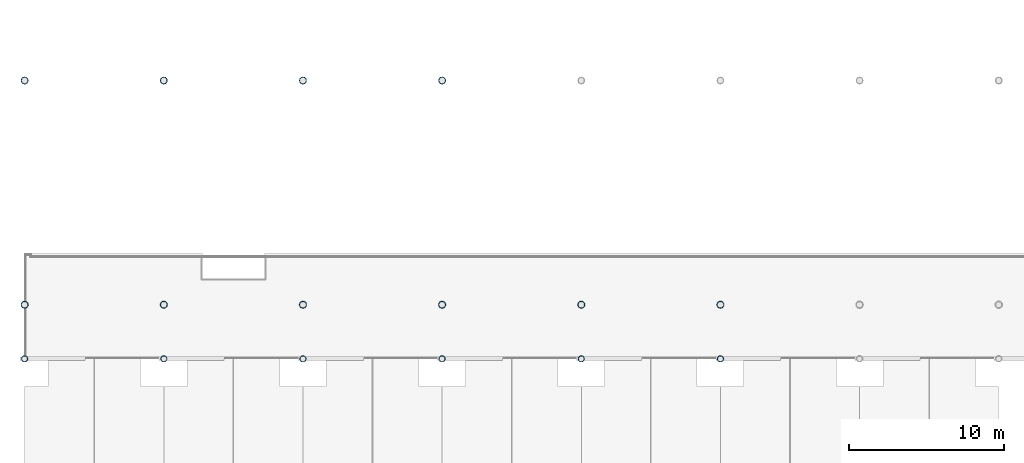
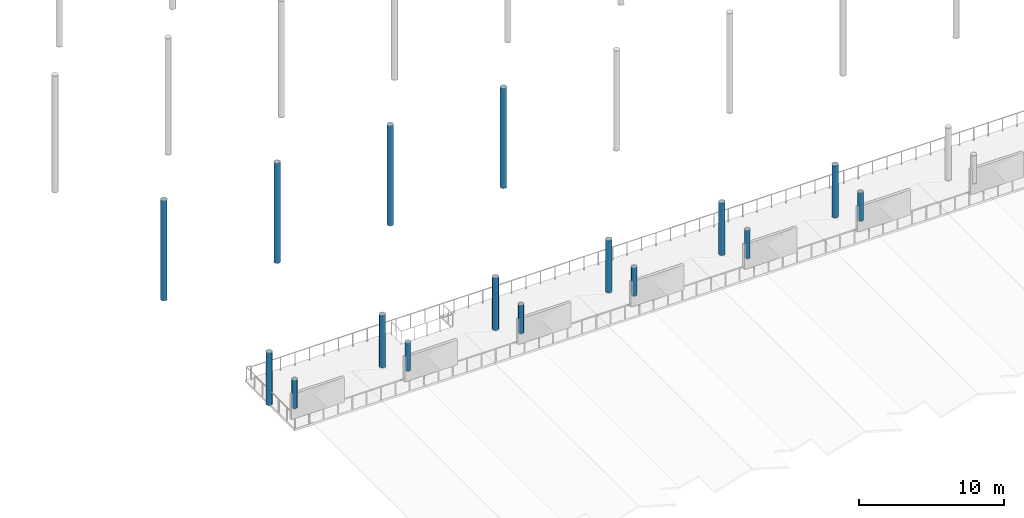
# One storey, part 1 of 143: 16 columns.
"""IFC4 building model written with IfcOpenShell, lengths in metres."""

import ifcopenshell
import ifcopenshell.guid

model = None  # the IFC model being written
_history = None  # IfcOwnerHistory: only IFC2X3 demands one
_inside = {}  # id of a spatial element -> (the spatial element, [elements in it])
_under = {}  # id of a project, library or spatial element -> (it, [spatial elements below it])
_declared = {}  # id of a project -> (the project, [libraries it declares])
_typed = {}  # id of a type object -> (the type object, [elements of that type])
_made_of = {}  # id of a material, layer set ... -> (it, [elements and type objects made of it])


def new_model(schema):
    """Start an empty IFC model of exactly this schema.

    Asked for "IFC4X3", IfcOpenShell would pick the latest addendum, in which some entities
    have other attributes; the version numbers below select the first issue.
    IFC2X3 requires an IfcOwnerHistory on every rooted entity: one is made here for all.
    """
    global model, _history
    if schema == "IFC4X3":
        model = ifcopenshell.file(schema_version=(4, 3, 0, 0))
    else:
        model = ifcopenshell.file(schema=schema)
    _inside.clear()
    _under.clear()
    _declared.clear()
    _typed.clear()
    _made_of.clear()
    _history = None
    if model.schema == "IFC2X3":
        org = make("IfcOrganization", Name="unknown")
        user = make(
            "IfcPersonAndOrganization",
            ThePerson=make("IfcPerson", FamilyName="unknown"),
            TheOrganization=org,
        )
        app = make(
            "IfcApplication",
            ApplicationDeveloper=org,
            Version="unknown",
            ApplicationFullName="unknown",
            ApplicationIdentifier="unknown",
        )
        _history = make(
            "IfcOwnerHistory",
            OwningUser=user,
            OwningApplication=app,
            ChangeAction="ADDED",
            CreationDate=0,
        )
    return model


def make(cls, **values):
    """One entity of the class cls with the attributes given. An attribute that is None is left unset."""
    return model.create_entity(
        cls, **{name: value for name, value in values.items() if value is not None}
    )


def rooted(cls, **values):
    """An entity with a GlobalId (a new one), such as an element, a storey or a relation."""
    return make(cls, GlobalId=ifcopenshell.guid.new(), OwnerHistory=_history, **values)


def si_unit(unit_type, name, prefix=None):
    """IfcSIUnit, for example si_unit("LENGTHUNIT", "METRE", prefix="MILLI")."""
    return make("IfcSIUnit", UnitType=unit_type, Prefix=prefix, Name=name)


def assignment(units):
    """IfcUnitAssignment: the units of a project."""
    return None if units is None else make("IfcUnitAssignment", Units=units)


def point(xyz):
    """IfcCartesianPoint."""
    return None if xyz is None else make("IfcCartesianPoint", Coordinates=xyz)


def direction(xyz):
    """IfcDirection."""
    return None if xyz is None else make("IfcDirection", DirectionRatios=xyz)


def frame(location, z_axis=None, x_axis=None):
    """IfcAxis2Placement3D, a coordinate frame: its origin and axes. An axis left out is left unset."""
    return make(
        "IfcAxis2Placement3D",
        Location=point(location),
        Axis=direction(z_axis),
        RefDirection=direction(x_axis),
    )


def frame_2d(location, x_axis=None):
    """IfcAxis2Placement2D, a coordinate frame in the plane: its origin and x axis."""
    return make(
        "IfcAxis2Placement2D", Location=point(location), RefDirection=direction(x_axis)
    )


def origin():
    """The frame at (0, 0, 0) with its axes left unset."""
    return frame((0.0, 0.0, 0.0))


def origin_2d():
    """The frame at (0, 0) in the plane with its x axis left unset."""
    return frame_2d((0.0, 0.0))


def place(relative_to, where):
    """IfcLocalPlacement: puts the frame where relative to a parent placement (None: the world)."""
    return make(
        "IfcLocalPlacement", PlacementRelTo=relative_to, RelativePlacement=where
    )


def context(
    kind, dimensions, precision=None, world=None, true_north=None, identifier=None
):
    """IfcGeometricRepresentationContext, for example the 3D "Model" context."""
    return make(
        "IfcGeometricRepresentationContext",
        ContextIdentifier=identifier,
        ContextType=kind,
        CoordinateSpaceDimension=dimensions,
        Precision=precision,
        WorldCoordinateSystem=world,
        TrueNorth=true_north,
    )


def subcontext(parent, identifier, kind, view, scale=None):
    """IfcGeometricRepresentationSubContext, for example "Body" below "Model"."""
    return make(
        "IfcGeometricRepresentationSubContext",
        ContextIdentifier=identifier,
        ContextType=kind,
        ParentContext=parent,
        TargetScale=scale,
        TargetView=view,
    )


def project(units=None, contexts=None):
    """IfcProject with its units and contexts."""
    return rooted(
        "IfcProject",
        Name="project",
        RepresentationContexts=contexts,
        UnitsInContext=assignment(units),
    )


def spatial(cls, under=None, at=None, **own):
    """A site, building, storey or space (cls), placed at a placement, below another one or the project."""
    s = rooted(cls, ObjectPlacement=at, **own)
    if under is not None:
        _under.setdefault(under.id(), (under, []))[1].append(s)
    return s


def profile(cls, at=None, kind="AREA", **sizes):
    """A parametric profile (cls). Its sizes go by their IFC names, for example OverallWidth=200.0."""
    return make(cls, ProfileType=kind, Position=at, **sizes)


def hollow_circle(**sizes):
    """IfcCircleHollowProfileDef."""
    return profile("IfcCircleHollowProfileDef", **sizes)


def extrude(swept, where, along, depth):
    """IfcExtrudedAreaSolid: the profile swept, set in the frame where, extruded along a direction by depth."""
    return make(
        "IfcExtrudedAreaSolid",
        SweptArea=swept,
        Position=where,
        ExtrudedDirection=direction(along),
        Depth=depth,
    )


def shape(context_of_items, identifier, shape_type, items):
    """IfcShapeRepresentation: the items that make up one representation, for example the "Body"."""
    return make(
        "IfcShapeRepresentation",
        ContextOfItems=context_of_items,
        RepresentationIdentifier=identifier,
        RepresentationType=shape_type,
        Items=items,
    )


def material(Name=None, Category=None):
    """IfcMaterial."""
    return make("IfcMaterial", Name=Name, Category=Category)


def material_profile(
    of_material, cross_section, Name=None, Category=None, Priority=None
):
    """IfcMaterialProfile: a cross section and its material."""
    return make(
        "IfcMaterialProfile",
        Name=Name,
        Material=of_material,
        Profile=cross_section,
        Priority=Priority,
        Category=Category,
    )


def profile_set(profiles, Name=None, composite=None):
    """IfcMaterialProfileSet."""
    return make(
        "IfcMaterialProfileSet",
        Name=Name,
        MaterialProfiles=profiles,
        CompositeProfile=composite,
    )


def made_of(thing, what):
    """Note that an element or type object is made of a material, layer set ...; save() writes the relation."""
    if what is not None:
        _made_of.setdefault(what.id(), (what, []))[1].append(thing)
    return thing


def type_object(cls, material=None, **own):
    """A type object (cls), such as IfcWallType, which elements share."""
    return made_of(rooted(cls, **own), material)


def element(
    cls,
    number,
    at=None,
    inside=None,
    cuts=None,
    type_object=None,
    material=None,
    context=None,
    identifier="Body",
    shape_type=None,
    held_by="IfcProductDefinitionShape",
    body=None,
    shapes=None,
    **own,
):
    """One element of the class cls, such as IfcWall. Its Tag is "e" and its number.

    at: its placement. inside: the storey or other place that contains it. cuts: it is an
    opening in that element (IfcRelVoidsElement). A single representation is given by context,
    identifier, shape_type and body (its items); several are given by shapes. held_by: the class
    of the entity that holds the representations. save() writes the other relations.
    """
    e = rooted(cls, Tag="e%d" % number, ObjectPlacement=at, **own)
    if body is not None:
        shapes = [shape(context, identifier, shape_type, body)]
    if shapes is not None:
        e.Representation = make(held_by, Representations=shapes)
    if inside is not None:
        _inside.setdefault(inside.id(), (inside, []))[1].append(e)
    if cuts is not None:
        rooted(
            "IfcRelVoidsElement", RelatingBuildingElement=cuts, RelatedOpeningElement=e
        )
    if type_object is not None:
        _typed.setdefault(type_object.id(), (type_object, []))[1].append(e)
    return made_of(e, material)


def aggregate(whole, parts):
    """IfcRelAggregates: a whole, such as a stair, and the parts it consists of."""
    return rooted("IfcRelAggregates", RelatingObject=whole, RelatedObjects=parts)


def save(model, path):
    """Write the relations noted so far, then the file.

    IfcRelAggregates (storeys below a building ...), IfcRelContainedInSpatialStructure (elements
    in a storey), IfcRelDefinesByType, IfcRelAssociatesMaterial and IfcRelDeclares: one each for
    every whole, place, type object, material and project.
    """
    for whole, parts in _under.values():
        aggregate(whole, parts)
    for where, things in _inside.values():
        rooted(
            "IfcRelContainedInSpatialStructure",
            RelatedElements=things,
            RelatingStructure=where,
        )
    for kind, things in _typed.values():
        rooted("IfcRelDefinesByType", RelatedObjects=things, RelatingType=kind)
    for what, things in _made_of.values():
        rooted("IfcRelAssociatesMaterial", RelatedObjects=things, RelatingMaterial=what)
    for by, libraries in _declared.values():
        rooted("IfcRelDeclares", RelatingContext=by, RelatedDefinitions=libraries)
    model.write(path)


model = new_model("IFC4")

# Units and contexts
model_context = context("Model", 3, precision=1e-05, world=origin(), true_north=direction((0.0, 1.0)))
body_context = subcontext(model_context, "Body", "Model", "MODEL_VIEW")
ifc_project = project(units=[si_unit("LENGTHUNIT", "METRE"), si_unit("AREAUNIT", "SQUARE_METRE"), si_unit("VOLUMEUNIT", "CUBIC_METRE"), si_unit("PLANEANGLEUNIT", "RADIAN"), si_unit("MASSUNIT", "GRAM", prefix="KILO")], contexts=[model_context])

# Site, building, storey
site_placement = place(None, origin())
site = spatial("IfcSite", under=ifc_project, at=site_placement, CompositionType="ELEMENT")
building_placement = place(site_placement, origin())
building = spatial("IfcBuilding", under=site, at=building_placement, Name="Marlcrest Central Station", CompositionType="ELEMENT")
storey_placement = place(building_placement, frame((0.0, 0.0, 4.800048828125)))
storey = spatial("IfcBuildingStorey", under=building, at=storey_placement, Name="L01", CompositionType="ELEMENT", Elevation=4.800048828125)

# Columns
ifc_material = material(Name="Steel S355", Category="steel")
ifc_material_profile_1 = material_profile(ifc_material, hollow_circle(Radius=0.203125, WallThickness=0.02001953125, at=origin_2d()), Name="CHS 406.4x20")
ifc_profile_set_1 = profile_set([ifc_material_profile_1], Name="Steel S355")
column_type_1 = type_object("IfcColumnType", Name="SC-10", PredefinedType="COLUMN", material=ifc_profile_set_1)
for number, where, z_axis, x_axis, name in (
    (1, (0.0, 33.0, 1.83984375), (0.0, 0.0, 1.0), (1.0, 0.0, 0.0), "col-SC-10-L01-0403"),
    (2, (9.0, 33.0, 1.83984375), (0.0, 0.0, 1.0), (1.0, 0.0, 0.0), "col-SC-10-L01-0404"),
    (3, (18.0, 33.0, 1.83984375), (0.0, 0.0, 1.0), (1.0, 0.0, 0.0), "col-SC-10-L01-0405"),
    (4, (27.0, 33.0, 1.83984375), (0.0, 0.0, 1.0), (1.0, 0.0, 0.0), "col-SC-10-L01-0406"),
    (5, (36.0, 33.0, 1.83984375), (0.0, 0.0, 1.0), (1.0, 0.0, 0.0), "col-SC-10-L01-0407"),
    (6, (45.0, 33.0, 1.83984375), (0.0, 0.0, 1.0), (1.0, 0.0, 0.0), "col-SC-10-L01-0408"),
):
    element("IfcColumn", number, at=place(storey_placement, frame(where, z_axis=z_axis, x_axis=x_axis)), inside=storey, type_object=column_type_1, Name=name, PredefinedType="COLUMN", context=body_context, shape_type="SweptSolid", body=[
        extrude(hollow_circle(Radius=0.203125, WallThickness=0.02001953125, at=origin_2d()), origin(), (0.0, 0.0, 1.0), 2.360107421875),
    ])
ifc_material_profile_2 = material_profile(ifc_material, hollow_circle(Radius=0.228515625, WallThickness=0.02001953125, at=origin_2d()), Name="CHS 457x20")
ifc_profile_set_2 = profile_set([ifc_material_profile_2], Name="Steel S355")
column_type_2 = type_object("IfcColumnType", Name="SC-11", PredefinedType="COLUMN", material=ifc_profile_set_2)
column_1_placement = place(storey_placement, frame((0.0, 36.5, 0.0), z_axis=(0.0, 0.0, 1.0), x_axis=(1.0, 0.0, 0.0)))
element("IfcColumn", 7, at=column_1_placement, inside=storey, type_object=column_type_2, Name="col-SC-11-L01-0413", PredefinedType="COLUMN", context=body_context, shape_type="SweptSolid", body=[
    extrude(hollow_circle(Radius=0.228515625, WallThickness=0.02001953125, at=origin_2d()), origin(), (0.0, 0.0, 1.0), 4.39990234375),
])
column_2_placement = place(storey_placement, frame((0.0, 51.0, 0.0), z_axis=(0.0, 0.0, 1.0), x_axis=(1.0, 0.0, 0.0)))
element("IfcColumn", 8, at=column_2_placement, inside=storey, type_object=column_type_2, Name="col-SC-11-L01-0415", PredefinedType="COLUMN", context=body_context, shape_type="SweptSolid", body=[
    extrude(hollow_circle(Radius=0.228515625, WallThickness=0.02001953125, at=origin_2d()), origin(), (0.0, 0.0, 1.0), 8.40380859375),
])
column_3_placement = place(storey_placement, frame((9.0, 36.5, 0.0), z_axis=(0.0, 0.0, 1.0), x_axis=(1.0, 0.0, 0.0)))
element("IfcColumn", 9, at=column_3_placement, inside=storey, type_object=column_type_2, Name="col-SC-11-L01-0423", PredefinedType="COLUMN", context=body_context, shape_type="SweptSolid", body=[
    extrude(hollow_circle(Radius=0.228515625, WallThickness=0.02001953125, at=origin_2d()), origin(), (0.0, 0.0, 1.0), 4.39990234375),
])
column_4_placement = place(storey_placement, frame((9.0, 51.0, 0.0), z_axis=(0.0, 0.0, 1.0), x_axis=(1.0, 0.0, 0.0)))
element("IfcColumn", 10, at=column_4_placement, inside=storey, type_object=column_type_2, Name="col-SC-11-L01-0425", PredefinedType="COLUMN", context=body_context, shape_type="SweptSolid", body=[
    extrude(hollow_circle(Radius=0.228515625, WallThickness=0.02001953125, at=origin_2d()), origin(), (0.0, 0.0, 1.0), 8.40380859375),
])
column_5_placement = place(storey_placement, frame((18.0, 36.5, 0.0), z_axis=(0.0, 0.0, 1.0), x_axis=(1.0, 0.0, 0.0)))
element("IfcColumn", 11, at=column_5_placement, inside=storey, type_object=column_type_2, Name="col-SC-11-L01-0433", PredefinedType="COLUMN", context=body_context, shape_type="SweptSolid", body=[
    extrude(hollow_circle(Radius=0.228515625, WallThickness=0.02001953125, at=origin_2d()), origin(), (0.0, 0.0, 1.0), 4.39990234375),
])
column_6_placement = place(storey_placement, frame((18.0, 51.0, 0.0), z_axis=(0.0, 0.0, 1.0), x_axis=(1.0, 0.0, 0.0)))
element("IfcColumn", 12, at=column_6_placement, inside=storey, type_object=column_type_2, Name="col-SC-11-L01-0435", PredefinedType="COLUMN", context=body_context, shape_type="SweptSolid", body=[
    extrude(hollow_circle(Radius=0.228515625, WallThickness=0.02001953125, at=origin_2d()), origin(), (0.0, 0.0, 1.0), 8.40380859375),
])
column_7_placement = place(storey_placement, frame((27.0, 36.5, 0.0), z_axis=(0.0, 0.0, 1.0), x_axis=(1.0, 0.0, 0.0)))
element("IfcColumn", 13, at=column_7_placement, inside=storey, type_object=column_type_2, Name="col-SC-11-L01-0443", PredefinedType="COLUMN", context=body_context, shape_type="SweptSolid", body=[
    extrude(hollow_circle(Radius=0.228515625, WallThickness=0.02001953125, at=origin_2d()), origin(), (0.0, 0.0, 1.0), 4.39990234375),
])
column_8_placement = place(storey_placement, frame((27.0, 51.0, 0.0), z_axis=(0.0, 0.0, 1.0), x_axis=(1.0, 0.0, 0.0)))
element("IfcColumn", 14, at=column_8_placement, inside=storey, type_object=column_type_2, Name="col-SC-11-L01-0445", PredefinedType="COLUMN", context=body_context, shape_type="SweptSolid", body=[
    extrude(hollow_circle(Radius=0.228515625, WallThickness=0.02001953125, at=origin_2d()), origin(), (0.0, 0.0, 1.0), 8.40380859375),
])
for number, where, z_axis, x_axis, name in (
    (15, (36.0, 36.5, 0.0), (0.0, 0.0, 1.0), (1.0, 0.0, 0.0), "col-SC-11-L01-0453"),
    (16, (45.0, 36.5, 0.0), (0.0, 0.0, 1.0), (1.0, 0.0, 0.0), "col-SC-11-L01-0463"),
):
    element("IfcColumn", number, at=place(storey_placement, frame(where, z_axis=z_axis, x_axis=x_axis)), inside=storey, type_object=column_type_2, Name=name, PredefinedType="COLUMN", context=body_context, shape_type="SweptSolid", body=[
        extrude(hollow_circle(Radius=0.228515625, WallThickness=0.02001953125, at=origin_2d()), origin(), (0.0, 0.0, 1.0), 4.39990234375),
    ])

save(model, "model.ifc")
